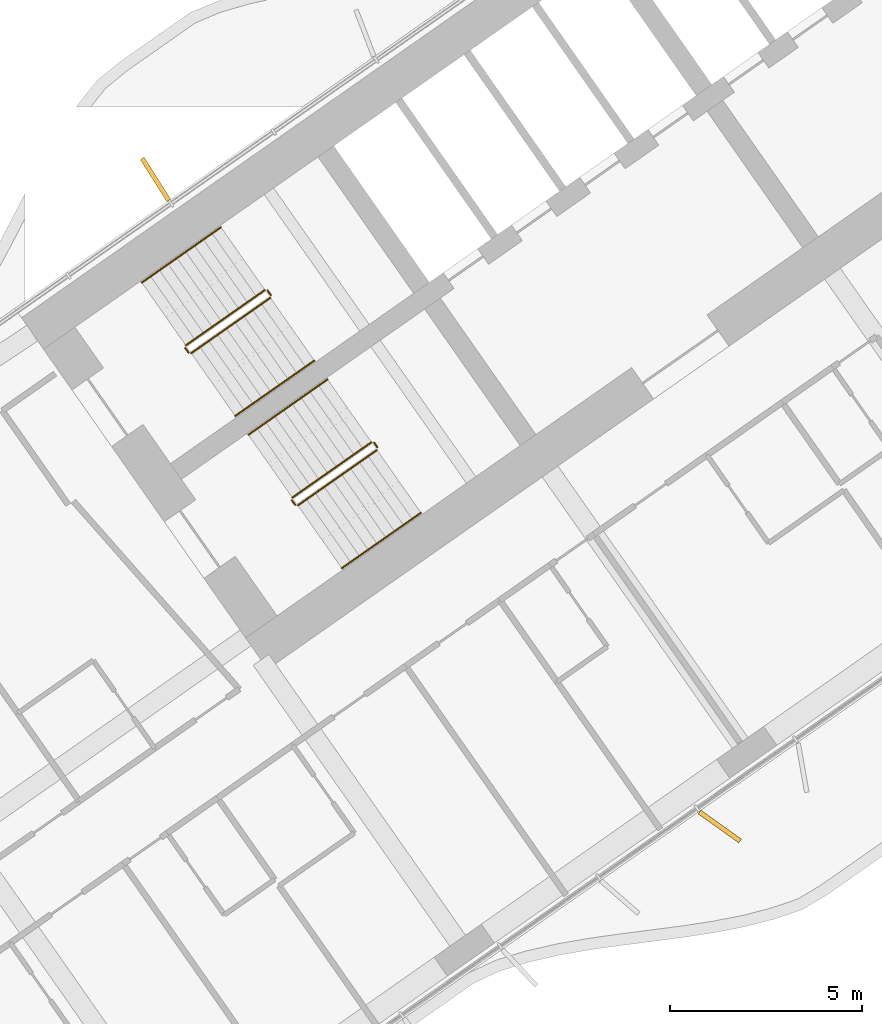
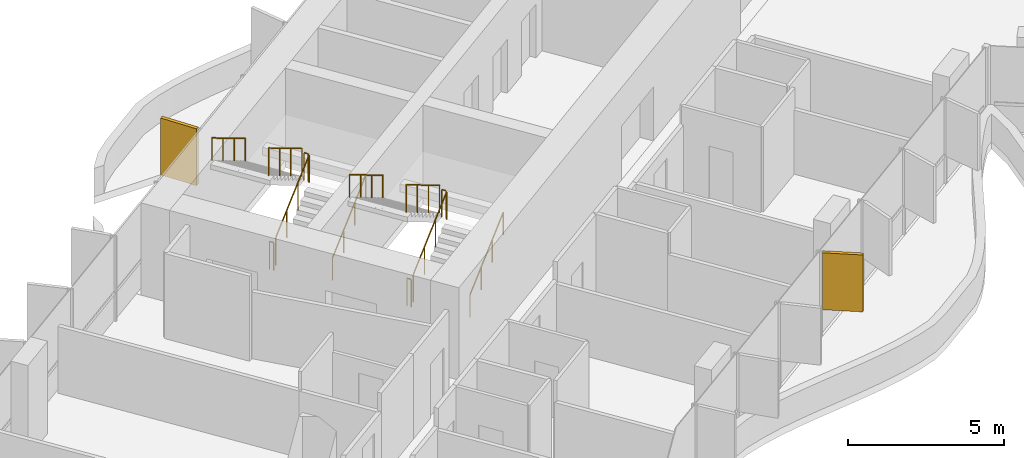
# One storey, part 21 of 25: 12 railings, 2 shading devices.
"""IFC4 building model written with IfcOpenShell, lengths in metres."""

from ifc_helpers import new_model, si_unit, direction, frame, origin, origin_2d, place, context, subcontext, project, spatial, rectangle, circle, extrude, material, layer, layer_set, type_object, element, save


model = new_model("IFC4")

# Units and contexts
model_context = context("Model", 3, precision=1e-05, world=origin(), true_north=direction((0.0, 1.0)))
body_context = subcontext(model_context, "Body", "Model", "MODEL_VIEW")
ifc_project = project(units=[si_unit("LENGTHUNIT", "METRE"), si_unit("AREAUNIT", "SQUARE_METRE"), si_unit("VOLUMEUNIT", "CUBIC_METRE"), si_unit("PLANEANGLEUNIT", "RADIAN"), si_unit("MASSUNIT", "GRAM", prefix="KILO")], contexts=[model_context])

# Site, building, storey
site_placement = place(None, origin())
site = spatial("IfcSite", under=ifc_project, at=site_placement, CompositionType="ELEMENT")
building_placement = place(site_placement, origin())
building = spatial("IfcBuilding", under=site, at=building_placement, Name="Tel Ilan Convention Tower", CompositionType="ELEMENT")
storey_placement = place(building_placement, frame((0.0, 0.0, 58.10009765625)))
storey = spatial("IfcBuildingStorey", under=building, at=storey_placement, Name="L09", CompositionType="ELEMENT", Elevation=58.10009765625)

# Shading devices
ifc_material_1 = material(Name="Aluminium, bronze anodised", Category="aluminium")
ifc_layer = layer(ifc_material_1, 0.1201171875)
ifc_layer_set = layer_set([ifc_layer], Name="FIN BRONZE 1300x120")
shading_device_type = type_object("IfcShadingDeviceType", Name="FIN BRONZE 1300x120", PredefinedType="USERDEFINED", material=ifc_layer_set)
for number, where, z_axis, x_axis, name in (
    (1, (-24.470458984375, -3.520751953125, 1.10009765625), (0.0, 0.0, 1.0), (-0.533204432798, 0.845986425922, 0.0), "FIN"),
    (2, (-9.73974609375, -20.409912109375, 1.10009765625), (0.0, 0.0, 1.0), (0.813552070258, -0.581492071294, 0.0), "FIN"),
):
    element("IfcShadingDevice", number, at=place(storey_placement, frame(where, z_axis=z_axis, x_axis=x_axis)), inside=storey, type_object=shading_device_type, Name=name, ObjectType="FIN", PredefinedType="USERDEFINED", context=body_context, shape_type="SweptSolid", body=[
        extrude(rectangle(XDim=1.300048828125, YDim=0.1201171875, at=origin_2d()), origin(), (0.0, 0.0, 1.0), 2.219970703125),
    ])

# Railings
ifc_material_2 = material(Name="Stainless Steel Grade 316", Category="steel")
railing_type_1 = type_object("IfcRailingType", Name="Stainless Steel Stair Guard 1100 mm", PredefinedType="GUARDRAIL", material=ifc_material_2)
railing_1_placement = place(storey_placement, frame((-23.535400390625, -8.056396484375, 0.179931640625)))
element("IfcRailing", 3, at=railing_1_placement, inside=storey, type_object=railing_type_1, Name="L09 S1 stair guard 1", PredefinedType="GUARDRAIL", context=body_context, shape_type="SweptSolid", body=[
    extrude(circle(Radius=0.02392578125, at=origin_2d()), frame((0.0, 0.0, 1.076171875), z_axis=(0.689043377453, 0.48253410265, 0.540721798865), x_axis=(-0.573624882958, 0.819118119475, 0.0)), (0.0, 0.0, 1.0), 2.995849609375),
    extrude(circle(Radius=0.02099609375, at=origin_2d()), origin(), (0.0, 0.0, 1.0), 1.052001953125),
    extrude(circle(Radius=0.02099609375, at=origin_2d()), frame((0.68798828125, 0.48193359375, 0.5400390625)), (0.0, 0.0, 1.0), 1.052001953125),
    extrude(circle(Radius=0.02099609375, at=origin_2d()), frame((1.376220703125, 0.963623046875, 1.079833984375)), (0.0, 0.0, 1.0), 1.052001953125),
    extrude(circle(Radius=0.02099609375, at=origin_2d()), frame((2.064208984375, 1.445556640625, 1.619873046875)), (0.0, 0.0, 1.0), 1.052001953125),
])
railing_2_placement = place(storey_placement, frame((-21.458984375, -6.541259765625, 1.7998046875)))
element("IfcRailing", 4, at=railing_2_placement, inside=storey, type_object=railing_type_1, Name="L09 S1 stair guard 2", PredefinedType="GUARDRAIL", context=body_context, shape_type="SweptSolid", body=[
    extrude(circle(Radius=0.02392578125, at=origin_2d()), frame((0.0, 0.0, 1.076171875), z_axis=(-0.573353020881, 0.819308436089, 0.0), x_axis=(-0.819308436089, -0.573353020881, 0.0)), (0.0, 0.0, 1.0), 0.14990234375),
    extrude(circle(Radius=0.02099609375, at=origin_2d()), origin(), (0.0, 0.0, 1.0), 1.052001953125),
    extrude(circle(Radius=0.02099609375, at=origin_2d()), frame((-0.0859375, 0.122802734375, 0.0)), (0.0, 0.0, 1.0), 1.052001953125),
])
railing_3_placement = place(storey_placement, frame((-21.614501953125, -6.406005859375, 1.97998046875)))
element("IfcRailing", 5, at=railing_3_placement, inside=storey, type_object=railing_type_1, Name="L09 S1 stair guard 3", PredefinedType="GUARDRAIL", context=body_context, shape_type="SweptSolid", body=[
    extrude(circle(Radius=0.02392578125, at=origin_2d()), frame((0.0, 0.0, 1.076171875), z_axis=(-0.689043377453, -0.48253410265, 0.540721798865), x_axis=(0.573624882958, -0.819118119475, 0.0)), (0.0, 0.0, 1.0), 2.995849609375),
    extrude(circle(Radius=0.02099609375, at=origin_2d()), origin(), (0.0, 0.0, 1.0), 1.052001953125),
    extrude(circle(Radius=0.02099609375, at=origin_2d()), frame((-0.68798828125, -0.48193359375, 0.5400390625)), (0.0, 0.0, 1.0), 1.052001953125),
    extrude(circle(Radius=0.02099609375, at=origin_2d()), frame((-1.376220703125, -0.963623046875, 1.079833984375)), (0.0, 0.0, 1.0), 1.052001953125),
    extrude(circle(Radius=0.02099609375, at=origin_2d()), frame((-2.064208984375, -1.445556640625, 1.619873046875)), (0.0, 0.0, 1.0), 1.052001953125),
])
railing_4_placement = place(storey_placement, frame((-23.60498046875, -8.0439453125, 0.0)))
element("IfcRailing", 6, at=railing_4_placement, inside=storey, type_object=railing_type_1, Name="L09 S1 stair guard 4", PredefinedType="GUARDRAIL", context=body_context, shape_type="SweptSolid", body=[
    extrude(circle(Radius=0.02392578125, at=origin_2d()), frame((0.0, 0.0, 1.076171875), z_axis=(-0.574444878118, 0.818543268254, 0.0), x_axis=(-0.818543268254, -0.574444878118, 0.0)), (0.0, 0.0, 1.0), 0.150146484375),
    extrude(circle(Radius=0.02099609375, at=origin_2d()), origin(), (0.0, 0.0, 1.0), 1.052001953125),
    extrude(circle(Radius=0.02099609375, at=origin_2d()), frame((-0.086181640625, 0.122802734375, 0.0)), (0.0, 0.0, 1.0), 1.052001953125),
])
railing_5_placement = place(storey_placement, frame((-20.753662109375, -12.029296875, 0.179931640625)))
element("IfcRailing", 7, at=railing_5_placement, inside=storey, type_object=railing_type_1, Name="L09 S2 stair guard 1", PredefinedType="GUARDRAIL", context=body_context, shape_type="SweptSolid", body=[
    extrude(circle(Radius=0.02392578125, at=origin_2d()), frame((0.0, 0.0, 1.076171875), z_axis=(0.689086176785, 0.482507007183, 0.540691436018), x_axis=(-0.573579365141, 0.81914999352, 0.0)), (0.0, 0.0, 1.0), 2.995849609375),
    extrude(circle(Radius=0.02099609375, at=origin_2d()), origin(), (0.0, 0.0, 1.0), 1.052001953125),
    extrude(circle(Radius=0.02099609375, at=origin_2d()), frame((0.688232421875, 0.48193359375, 0.5400390625)), (0.0, 0.0, 1.0), 1.052001953125),
    extrude(circle(Radius=0.02099609375, at=origin_2d()), frame((1.376220703125, 0.963623046875, 1.079833984375)), (0.0, 0.0, 1.0), 1.052001953125),
    extrude(circle(Radius=0.02099609375, at=origin_2d()), frame((2.064453125, 1.445556640625, 1.619873046875)), (0.0, 0.0, 1.0), 1.052001953125),
])
railing_6_placement = place(storey_placement, frame((-18.677001953125, -10.51416015625, 1.7998046875)))
element("IfcRailing", 8, at=railing_6_placement, inside=storey, type_object=railing_type_1, Name="L09 S2 stair guard 2", PredefinedType="GUARDRAIL", context=body_context, shape_type="SweptSolid", body=[
    extrude(circle(Radius=0.02392578125, at=origin_2d()), frame((0.0, 0.0, 1.076171875), z_axis=(-0.573353020881, 0.819308436089, 0.0), x_axis=(-0.819308436089, -0.573353020881, 0.0)), (0.0, 0.0, 1.0), 0.14990234375),
    extrude(circle(Radius=0.02099609375, at=origin_2d()), origin(), (0.0, 0.0, 1.0), 1.052001953125),
    extrude(circle(Radius=0.02099609375, at=origin_2d()), frame((-0.0859375, 0.122802734375, 0.0)), (0.0, 0.0, 1.0), 1.052001953125),
])
railing_7_placement = place(storey_placement, frame((-18.832763671875, -10.37890625, 1.97998046875)))
element("IfcRailing", 9, at=railing_7_placement, inside=storey, type_object=railing_type_1, Name="L09 S2 stair guard 3", PredefinedType="GUARDRAIL", context=body_context, shape_type="SweptSolid", body=[
    extrude(circle(Radius=0.02392578125, at=origin_2d()), frame((0.0, 0.0, 1.076171875), z_axis=(-0.689043377453, -0.48253410265, 0.540721798865), x_axis=(0.573624882958, -0.819118119475, 0.0)), (0.0, 0.0, 1.0), 2.995849609375),
    extrude(circle(Radius=0.02099609375, at=origin_2d()), origin(), (0.0, 0.0, 1.0), 1.052001953125),
    extrude(circle(Radius=0.02099609375, at=origin_2d()), frame((-0.68798828125, -0.48193359375, 0.5400390625)), (0.0, 0.0, 1.0), 1.052001953125),
    extrude(circle(Radius=0.02099609375, at=origin_2d()), frame((-1.376220703125, -0.963623046875, 1.079833984375)), (0.0, 0.0, 1.0), 1.052001953125),
    extrude(circle(Radius=0.02099609375, at=origin_2d()), frame((-2.064208984375, -1.445556640625, 1.619873046875)), (0.0, 0.0, 1.0), 1.052001953125),
])
railing_8_placement = place(storey_placement, frame((-20.8232421875, -12.016845703125, 0.0)))
element("IfcRailing", 10, at=railing_8_placement, inside=storey, type_object=railing_type_1, Name="L09 S2 stair guard 4", PredefinedType="GUARDRAIL", context=body_context, shape_type="SweptSolid", body=[
    extrude(circle(Radius=0.02392578125, at=origin_2d()), frame((0.0, 0.0, 1.076171875), z_axis=(-0.573353020881, 0.819308436089, 0.0), x_axis=(-0.819308436089, -0.573353020881, 0.0)), (0.0, 0.0, 1.0), 0.14990234375),
    extrude(circle(Radius=0.02099609375, at=origin_2d()), origin(), (0.0, 0.0, 1.0), 1.052001953125),
    extrude(circle(Radius=0.02099609375, at=origin_2d()), frame((-0.0859375, 0.122802734375, 0.0)), (0.0, 0.0, 1.0), 1.052001953125),
])
ifc_material_3 = material(Name="Stainless Steel Grade 316", Category="steel")
railing_type_2 = type_object("IfcRailingType", Name="Stainless Steel Stair Handrail 900 mm", PredefinedType="HANDRAIL", material=ifc_material_3)
railing_9_placement = place(storey_placement, frame((-22.38818359375, -9.694580078125, 0.179931640625)))
element("IfcRailing", 11, at=railing_9_placement, inside=storey, type_object=railing_type_2, Name="L09 S1 stair handrail 1", PredefinedType="HANDRAIL", context=body_context, shape_type="SweptSolid", body=[
    extrude(circle(Radius=0.02392578125, at=origin_2d()), frame((0.0, 0.0, 0.8759765625), z_axis=(0.68907047291, 0.482471578903, 0.540743061828), x_axis=(-0.573559875649, 0.819163639968, 0.0)), (0.0, 0.0, 1.0), 2.99560546875),
    extrude(circle(Radius=0.02099609375, at=origin_2d()), origin(), (0.0, 0.0, 1.0), 0.851806640625),
    extrude(circle(Radius=0.02099609375, at=origin_2d()), frame((0.68798828125, 0.481689453125, 0.5400390625)), (0.0, 0.0, 1.0), 0.851806640625),
    extrude(circle(Radius=0.02099609375, at=origin_2d()), frame((1.376220703125, 0.963623046875, 1.079833984375)), (0.0, 0.0, 1.0), 0.851806640625),
    extrude(circle(Radius=0.02099609375, at=origin_2d()), frame((2.064208984375, 1.4453125, 1.619873046875)), (0.0, 0.0, 1.0), 0.851806640625),
])
railing_10_placement = place(storey_placement, frame((-22.76171875, -4.767822265625, 1.97998046875)))
element("IfcRailing", 12, at=railing_10_placement, inside=storey, type_object=railing_type_2, Name="L09 S1 stair handrail 2", PredefinedType="HANDRAIL", context=body_context, shape_type="SweptSolid", body=[
    extrude(circle(Radius=0.02392578125, at=origin_2d()), frame((0.0, 0.0, 0.8759765625), z_axis=(-0.68907047291, -0.482471578903, 0.540743061828), x_axis=(0.573559875649, -0.819163639968, 0.0)), (0.0, 0.0, 1.0), 2.99560546875),
    extrude(circle(Radius=0.02099609375, at=origin_2d()), origin(), (0.0, 0.0, 1.0), 0.851806640625),
    extrude(circle(Radius=0.02099609375, at=origin_2d()), frame((-0.68798828125, -0.481689453125, 0.5400390625)), (0.0, 0.0, 1.0), 0.851806640625),
    extrude(circle(Radius=0.02099609375, at=origin_2d()), frame((-1.376220703125, -0.963623046875, 1.079833984375)), (0.0, 0.0, 1.0), 0.851806640625),
    extrude(circle(Radius=0.02099609375, at=origin_2d()), frame((-2.064208984375, -1.4453125, 1.619873046875)), (0.0, 0.0, 1.0), 0.851806640625),
])
railing_11_placement = place(storey_placement, frame((-19.6064453125, -13.66748046875, 0.179931640625)))
element("IfcRailing", 13, at=railing_11_placement, inside=storey, type_object=railing_type_2, Name="L09 S2 stair handrail 1", PredefinedType="HANDRAIL", context=body_context, shape_type="SweptSolid", body=[
    extrude(circle(Radius=0.02392578125, at=origin_2d()), frame((0.0, 0.0, 0.8759765625), z_axis=(0.68907047291, 0.482471578903, 0.540743061828), x_axis=(-0.573559875649, 0.819163639968, 0.0)), (0.0, 0.0, 1.0), 2.99560546875),
    extrude(circle(Radius=0.02099609375, at=origin_2d()), origin(), (0.0, 0.0, 1.0), 0.851806640625),
    extrude(circle(Radius=0.02099609375, at=origin_2d()), frame((0.68798828125, 0.481689453125, 0.5400390625)), (0.0, 0.0, 1.0), 0.851806640625),
    extrude(circle(Radius=0.02099609375, at=origin_2d()), frame((1.376220703125, 0.963623046875, 1.079833984375)), (0.0, 0.0, 1.0), 0.851806640625),
    extrude(circle(Radius=0.02099609375, at=origin_2d()), frame((2.064208984375, 1.4453125, 1.619873046875)), (0.0, 0.0, 1.0), 0.851806640625),
])
railing_12_placement = place(storey_placement, frame((-19.979736328125, -8.74072265625, 1.97998046875)))
element("IfcRailing", 14, at=railing_12_placement, inside=storey, type_object=railing_type_2, Name="L09 S2 stair handrail 2", PredefinedType="HANDRAIL", context=body_context, shape_type="SweptSolid", body=[
    extrude(circle(Radius=0.02392578125, at=origin_2d()), frame((0.0, 0.0, 0.8759765625), z_axis=(-0.689113270881, -0.482444484817, 0.540712695399), x_axis=(0.573514357932, -0.81919550856, 0.0)), (0.0, 0.0, 1.0), 2.995849609375),
    extrude(circle(Radius=0.02099609375, at=origin_2d()), origin(), (0.0, 0.0, 1.0), 0.851806640625),
    extrude(circle(Radius=0.02099609375, at=origin_2d()), frame((-0.688232421875, -0.481689453125, 0.5400390625)), (0.0, 0.0, 1.0), 0.851806640625),
    extrude(circle(Radius=0.02099609375, at=origin_2d()), frame((-1.376220703125, -0.963623046875, 1.079833984375)), (0.0, 0.0, 1.0), 0.851806640625),
    extrude(circle(Radius=0.02099609375, at=origin_2d()), frame((-2.064453125, -1.4453125, 1.619873046875)), (0.0, 0.0, 1.0), 0.851806640625),
])

save(model, "model.ifc")
